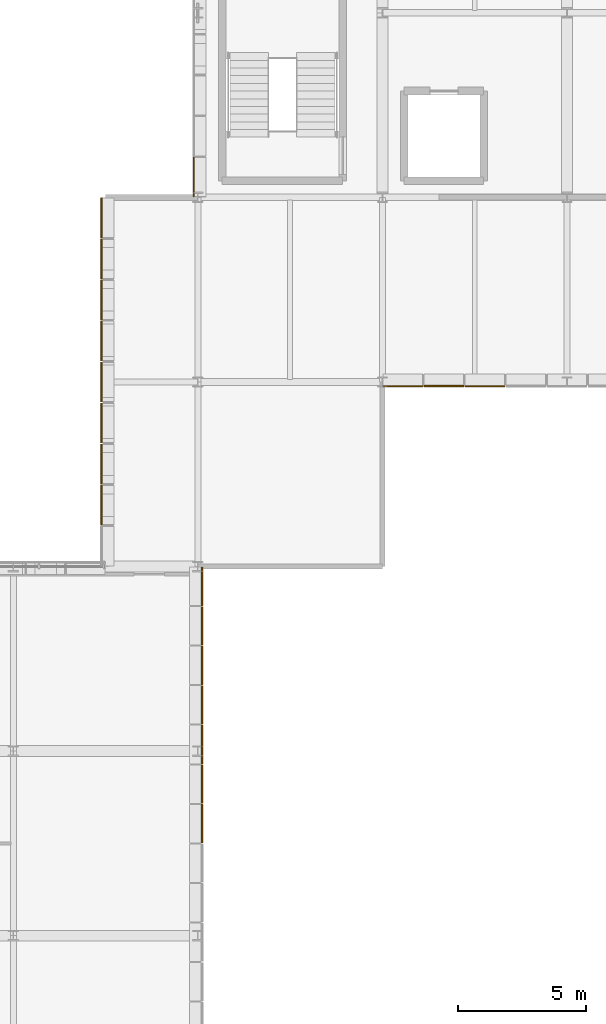
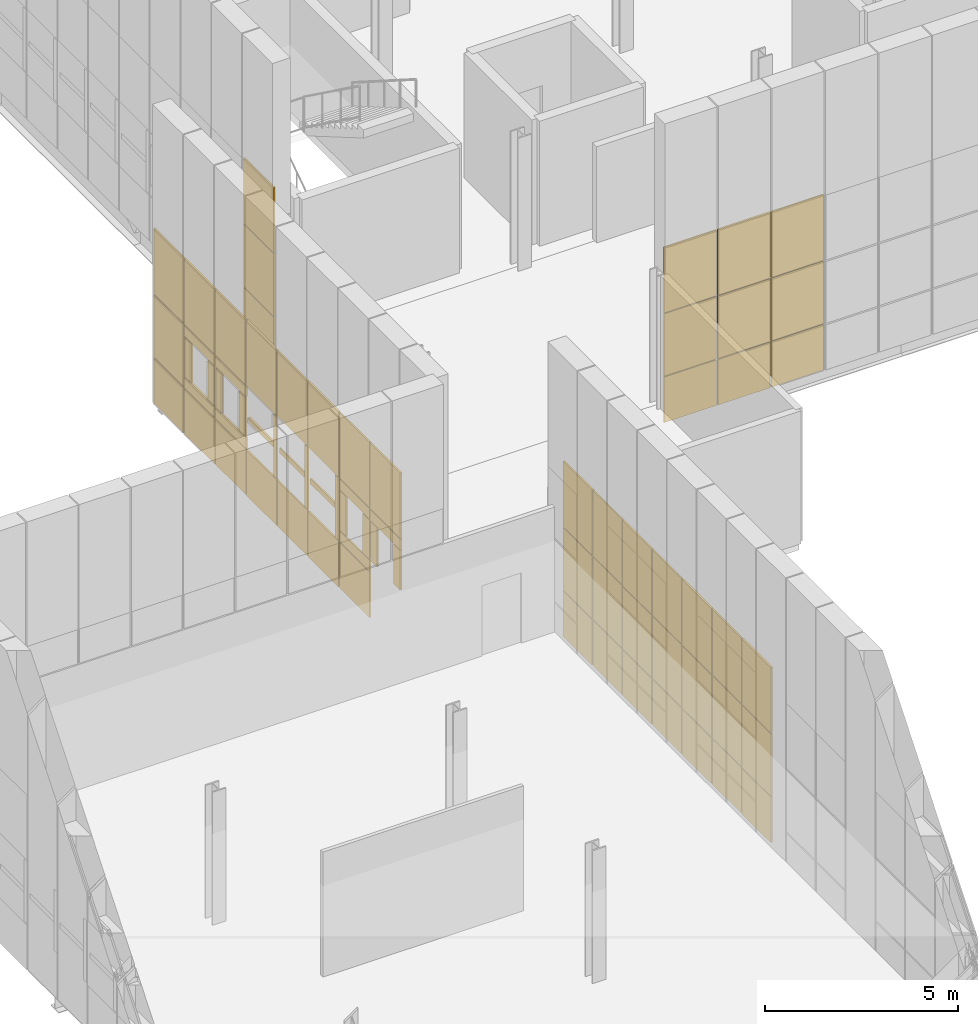
# One storey, part 129 of 144: 70 coverings.
"""IFC4 building model written with IfcOpenShell, lengths in metres."""

from ifc_helpers import new_model, si_unit, direction, frame, origin, origin_2d, place, context, subcontext, project, spatial, rectangle, extrude, material, layer, layer_set, type_object, element, save


model = new_model("IFC4")

# Units and contexts
model_context = context("Model", 3, precision=1e-05, world=origin(), true_north=direction((0.0, 1.0)))
body_context = subcontext(model_context, "Body", "Model", "MODEL_VIEW")
ifc_project = project(units=[si_unit("LENGTHUNIT", "METRE"), si_unit("AREAUNIT", "SQUARE_METRE"), si_unit("VOLUMEUNIT", "CUBIC_METRE"), si_unit("PLANEANGLEUNIT", "RADIAN"), si_unit("MASSUNIT", "GRAM", prefix="KILO")], contexts=[model_context])

# Site, building, storey
site_placement = place(None, origin())
site = spatial("IfcSite", under=ifc_project, at=site_placement, CompositionType="ELEMENT")
building_placement = place(site_placement, origin())
building = spatial("IfcBuilding", under=site, at=building_placement, Name="Yarey Park Central Fire Station", CompositionType="ELEMENT")
storey_placement = place(building_placement, frame((0.0, 0.0, 10.199951171875)))
storey = spatial("IfcBuildingStorey", under=building, at=storey_placement, Name="L03", CompositionType="ELEMENT", Elevation=10.199951171875)

# Coverings
ifc_material = material(Name="Perforated Powder-Coated Aluminium Cladding", Category="aluminium")
ifc_layer_1 = layer(ifc_material, 0.0419921875)
ifc_layer_set_1 = layer_set([ifc_layer_1], Name="Perforated Powder-Coated Aluminium Cladding")
covering_type_1 = type_object("IfcCoveringType", Name="ENV_COV_PERF_1", PredefinedType="CLADDING", material=ifc_layer_set_1)
covering_1_placement = place(storey_placement, frame((25.0400390625, 47.199951171875, -0.5048828125), z_axis=(0.0, 0.0, 1.0), x_axis=(0.0, 1.0, 0.0)))
element("IfcCovering", 1, at=covering_1_placement, inside=storey, type_object=covering_type_1, Name="PERF_L03_0542", PredefinedType="CLADDING", context=body_context, shape_type="SweptSolid", body=[
    extrude(rectangle(XDim=1.56005859375, YDim=0.0419921875, at=origin_2d()), origin(), (0.0, 0.0, 1.0), 1.43994140625),
])
for number, where, z_axis, x_axis, name in (
    (2, (25.0400390625, 47.199951171875, 0.9599609375), (0.0, 0.0, 1.0), (0.0, 1.0, 0.0), "PERF_L03_0543"),
    (3, (25.0400390625, 47.199951171875, 2.60009765625), (0.0, 0.0, 1.0), (0.0, 1.0, 0.0), "PERF_L03_0544"),
):
    element("IfcCovering", number, at=place(storey_placement, frame(where, z_axis=z_axis, x_axis=x_axis)), inside=storey, type_object=covering_type_1, Name=name, PredefinedType="CLADDING", context=body_context, shape_type="SweptSolid", body=[
        extrude(rectangle(XDim=1.56005859375, YDim=0.0419921875, at=origin_2d()), origin(), (0.0, 0.0, 1.0), 0.340087890625),
    ])
for number, where, z_axis, x_axis, name in (
    (4, (25.0400390625, 46.60009765625, 1.324951171875), (0.0, 0.0, 1.0), (0.0, 1.0, 0.0), "PERF_L03_0545"),
    (5, (25.0400390625, 47.800048828125, 1.324951171875), (0.0, 0.0, 1.0), (0.0, 1.0, 0.0), "PERF_L03_0546"),
):
    element("IfcCovering", number, at=place(storey_placement, frame(where, z_axis=z_axis, x_axis=x_axis)), inside=storey, type_object=covering_type_1, Name=name, PredefinedType="CLADDING", context=body_context, shape_type="SweptSolid", body=[
        extrude(rectangle(XDim=0.340087890625, YDim=0.0419921875, at=origin_2d()), origin(), (0.0, 0.0, 1.0), 1.25),
    ])
covering_2_placement = place(storey_placement, frame((25.0400390625, 47.199951171875, 2.96484375), z_axis=(0.0, 0.0, 1.0), x_axis=(0.0, 1.0, 0.0)))
element("IfcCovering", 6, at=covering_2_placement, inside=storey, type_object=covering_type_1, Name="PERF_L03_0547", PredefinedType="CLADDING", context=body_context, shape_type="SweptSolid", body=[
    extrude(rectangle(XDim=1.56005859375, YDim=0.0419921875, at=origin_2d()), origin(), (0.0, 0.0, 1.0), 2.070068359375),
])
covering_3_placement = place(storey_placement, frame((25.0400390625, 50.39990234375, -0.5048828125), z_axis=(0.0, 0.0, 1.0), x_axis=(0.0, 1.0, 0.0)))
element("IfcCovering", 7, at=covering_3_placement, inside=storey, type_object=covering_type_1, Name="PERF_L03_0560", PredefinedType="CLADDING", context=body_context, shape_type="SweptSolid", body=[
    extrude(rectangle(XDim=1.56005859375, YDim=0.0419921875, at=origin_2d()), origin(), (0.0, 0.0, 1.0), 1.43994140625),
])
covering_4_placement = place(storey_placement, frame((25.0400390625, 49.7099609375, 0.96484375), z_axis=(0.0, 0.0, 1.0), x_axis=(0.0, 1.0, 0.0)))
element("IfcCovering", 8, at=covering_4_placement, inside=storey, type_object=covering_type_1, Name="PERF_L03_0561", PredefinedType="CLADDING", context=body_context, shape_type="SweptSolid", body=[
    extrude(rectangle(XDim=0.159912109375, YDim=0.0419921875, at=origin_2d()), origin(), (0.0, 0.0, 1.0), 1.969970703125),
])
covering_5_placement = place(storey_placement, frame((25.0400390625, 50.39990234375, 1.8701171875), z_axis=(0.0, 0.0, 1.0), x_axis=(0.0, 1.0, 0.0)))
element("IfcCovering", 9, at=covering_5_placement, inside=storey, type_object=covering_type_1, Name="PERF_L03_0562", PredefinedType="CLADDING", context=body_context, shape_type="SweptSolid", body=[
    extrude(rectangle(XDim=1.360107421875, YDim=0.0419921875, at=origin_2d()), origin(), (0.0, 0.0, 1.0), 0.159912109375),
])
covering_6_placement = place(storey_placement, frame((25.0400390625, 50.39990234375, 2.96484375), z_axis=(0.0, 0.0, 1.0), x_axis=(0.0, 1.0, 0.0)))
element("IfcCovering", 10, at=covering_6_placement, inside=storey, type_object=covering_type_1, Name="PERF_L03_0563", PredefinedType="CLADDING", context=body_context, shape_type="SweptSolid", body=[
    extrude(rectangle(XDim=1.56005859375, YDim=0.0419921875, at=origin_2d()), origin(), (0.0, 0.0, 1.0), 2.070068359375),
])
covering_7_placement = place(storey_placement, frame((25.0400390625, 53.60009765625, -0.5048828125), z_axis=(0.0, 0.0, 1.0), x_axis=(0.0, 1.0, 0.0)))
element("IfcCovering", 11, at=covering_7_placement, inside=storey, type_object=covering_type_1, Name="PERF_L03_0574", PredefinedType="CLADDING", context=body_context, shape_type="SweptSolid", body=[
    extrude(rectangle(XDim=1.56005859375, YDim=0.0419921875, at=origin_2d()), origin(), (0.0, 0.0, 1.0), 1.43994140625),
])
for number, where, z_axis, x_axis, name in (
    (12, (25.0400390625, 53.60009765625, 0.9599609375), (0.0, 0.0, 1.0), (0.0, 1.0, 0.0), "PERF_L03_0575"),
    (13, (25.0400390625, 53.60009765625, 2.60009765625), (0.0, 0.0, 1.0), (0.0, 1.0, 0.0), "PERF_L03_0576"),
):
    element("IfcCovering", number, at=place(storey_placement, frame(where, z_axis=z_axis, x_axis=x_axis)), inside=storey, type_object=covering_type_1, Name=name, PredefinedType="CLADDING", context=body_context, shape_type="SweptSolid", body=[
        extrude(rectangle(XDim=1.56005859375, YDim=0.0419921875, at=origin_2d()), origin(), (0.0, 0.0, 1.0), 0.340087890625),
    ])
for number, where, z_axis, x_axis, name in (
    (14, (25.0400390625, 53.0, 1.324951171875), (0.0, 0.0, 1.0), (0.0, 1.0, 0.0), "PERF_L03_0577"),
    (15, (25.0400390625, 54.199951171875, 1.324951171875), (0.0, 0.0, 1.0), (0.0, 1.0, 0.0), "PERF_L03_0578"),
):
    element("IfcCovering", number, at=place(storey_placement, frame(where, z_axis=z_axis, x_axis=x_axis)), inside=storey, type_object=covering_type_1, Name=name, PredefinedType="CLADDING", context=body_context, shape_type="SweptSolid", body=[
        extrude(rectangle(XDim=0.340087890625, YDim=0.0419921875, at=origin_2d()), origin(), (0.0, 0.0, 1.0), 1.25),
    ])
covering_8_placement = place(storey_placement, frame((25.0400390625, 53.60009765625, 2.96484375), z_axis=(0.0, 0.0, 1.0), x_axis=(0.0, 1.0, 0.0)))
element("IfcCovering", 16, at=covering_8_placement, inside=storey, type_object=covering_type_1, Name="PERF_L03_0579", PredefinedType="CLADDING", context=body_context, shape_type="SweptSolid", body=[
    extrude(rectangle(XDim=1.56005859375, YDim=0.0419921875, at=origin_2d()), origin(), (0.0, 0.0, 1.0), 2.070068359375),
])
covering_9_placement = place(storey_placement, frame((25.0400390625, 56.800048828125, -0.5048828125), z_axis=(0.0, 0.0, 1.0), x_axis=(0.0, 1.0, 0.0)))
element("IfcCovering", 17, at=covering_9_placement, inside=storey, type_object=covering_type_1, Name="PERF_L03_0596", PredefinedType="CLADDING", context=body_context, shape_type="SweptSolid", body=[
    extrude(rectangle(XDim=1.56005859375, YDim=0.0419921875, at=origin_2d()), origin(), (0.0, 0.0, 1.0), 1.43994140625),
])
covering_10_placement = place(storey_placement, frame((25.0400390625, 56.800048828125, 0.96484375), z_axis=(0.0, 0.0, 1.0), x_axis=(0.0, 1.0, 0.0)))
element("IfcCovering", 18, at=covering_10_placement, inside=storey, type_object=covering_type_1, Name="PERF_L03_0597", PredefinedType="CLADDING", context=body_context, shape_type="SweptSolid", body=[
    extrude(rectangle(XDim=1.56005859375, YDim=0.0419921875, at=origin_2d()), origin(), (0.0, 0.0, 1.0), 1.969970703125),
])
covering_11_placement = place(storey_placement, frame((25.0400390625, 56.800048828125, 2.96484375), z_axis=(0.0, 0.0, 1.0), x_axis=(0.0, 1.0, 0.0)))
element("IfcCovering", 19, at=covering_11_placement, inside=storey, type_object=covering_type_1, Name="PERF_L03_0598", PredefinedType="CLADDING", context=body_context, shape_type="SweptSolid", body=[
    extrude(rectangle(XDim=1.56005859375, YDim=0.0419921875, at=origin_2d()), origin(), (0.0, 0.0, 1.0), 2.070068359375),
])
covering_12_placement = place(storey_placement, frame((28.639892578125, 58.396240234375, -0.5048828125), z_axis=(0.0, 0.0, 1.0), x_axis=(0.0, 1.0, 0.0)))
element("IfcCovering", 20, at=covering_12_placement, inside=storey, type_object=covering_type_1, Name="PERF_L03_0601", PredefinedType="CLADDING", context=body_context, shape_type="SweptSolid", body=[
    extrude(rectangle(XDim=1.55224609375, YDim=0.0419921875, at=origin_2d()), origin(), (0.0, 0.0, 1.0), 1.43994140625),
])
covering_13_placement = place(storey_placement, frame((28.639892578125, 58.396240234375, 0.96484375), z_axis=(0.0, 0.0, 1.0), x_axis=(0.0, 1.0, 0.0)))
element("IfcCovering", 21, at=covering_13_placement, inside=storey, type_object=covering_type_1, Name="PERF_L03_0602", PredefinedType="CLADDING", context=body_context, shape_type="SweptSolid", body=[
    extrude(rectangle(XDim=1.55224609375, YDim=0.0419921875, at=origin_2d()), origin(), (0.0, 0.0, 1.0), 1.969970703125),
])
covering_14_placement = place(storey_placement, frame((28.639892578125, 58.396240234375, 2.96484375), z_axis=(0.0, 0.0, 1.0), x_axis=(0.0, 1.0, 0.0)))
element("IfcCovering", 22, at=covering_14_placement, inside=storey, type_object=covering_type_1, Name="PERF_L03_0603", PredefinedType="CLADDING", context=body_context, shape_type="SweptSolid", body=[
    extrude(rectangle(XDim=1.55224609375, YDim=0.0419921875, at=origin_2d()), origin(), (0.0, 0.0, 1.0), 2.070068359375),
])
covering_15_placement = place(storey_placement, frame((28.9599609375, 34.71435546875, -0.5048828125), z_axis=(0.0, 0.0, 1.0), x_axis=(0.0, 1.0, 0.0)))
element("IfcCovering", 23, at=covering_15_placement, inside=storey, type_object=covering_type_1, Name="PERF_L03_0957", PredefinedType="CLADDING", context=body_context, shape_type="SweptSolid", body=[
    extrude(rectangle(XDim=1.5029296875, YDim=0.0419921875, at=origin_2d()), origin(), (0.0, 0.0, 1.0), 1.43994140625),
])
covering_16_placement = place(storey_placement, frame((28.9599609375, 34.71435546875, 0.96484375), z_axis=(0.0, 0.0, 1.0), x_axis=(0.0, 1.0, 0.0)))
element("IfcCovering", 24, at=covering_16_placement, inside=storey, type_object=covering_type_1, Name="PERF_L03_0958", PredefinedType="CLADDING", context=body_context, shape_type="SweptSolid", body=[
    extrude(rectangle(XDim=1.5029296875, YDim=0.0419921875, at=origin_2d()), origin(), (0.0, 0.0, 1.0), 1.969970703125),
])
covering_17_placement = place(storey_placement, frame((28.9599609375, 34.71435546875, 2.96484375), z_axis=(0.0, 0.0, 1.0), x_axis=(0.0, 1.0, 0.0)))
element("IfcCovering", 25, at=covering_17_placement, inside=storey, type_object=covering_type_1, Name="PERF_L03_0959", PredefinedType="CLADDING", context=body_context, shape_type="SweptSolid", body=[
    extrude(rectangle(XDim=1.5029296875, YDim=0.0419921875, at=origin_2d()), origin(), (0.0, 0.0, 1.0), 2.070068359375),
])
covering_18_placement = place(storey_placement, frame((28.9599609375, 37.800048828125, -0.5048828125), z_axis=(0.0, 0.0, 1.0), x_axis=(0.0, 1.0, 0.0)))
element("IfcCovering", 26, at=covering_18_placement, inside=storey, type_object=covering_type_1, Name="PERF_L03_0967", PredefinedType="CLADDING", context=body_context, shape_type="SweptSolid", body=[
    extrude(rectangle(XDim=1.5029296875, YDim=0.0419921875, at=origin_2d()), origin(), (0.0, 0.0, 1.0), 1.43994140625),
])
covering_19_placement = place(storey_placement, frame((28.9599609375, 37.800048828125, 0.96484375), z_axis=(0.0, 0.0, 1.0), x_axis=(0.0, 1.0, 0.0)))
element("IfcCovering", 27, at=covering_19_placement, inside=storey, type_object=covering_type_1, Name="PERF_L03_0968", PredefinedType="CLADDING", context=body_context, shape_type="SweptSolid", body=[
    extrude(rectangle(XDim=1.5029296875, YDim=0.0419921875, at=origin_2d()), origin(), (0.0, 0.0, 1.0), 1.969970703125),
])
covering_20_placement = place(storey_placement, frame((28.9599609375, 37.800048828125, 2.96484375), z_axis=(0.0, 0.0, 1.0), x_axis=(0.0, 1.0, 0.0)))
element("IfcCovering", 28, at=covering_20_placement, inside=storey, type_object=covering_type_1, Name="PERF_L03_0969", PredefinedType="CLADDING", context=body_context, shape_type="SweptSolid", body=[
    extrude(rectangle(XDim=1.5029296875, YDim=0.0419921875, at=origin_2d()), origin(), (0.0, 0.0, 1.0), 2.070068359375),
])
covering_21_placement = place(storey_placement, frame((28.9599609375, 40.8857421875, -0.5048828125), z_axis=(0.0, 0.0, 1.0), x_axis=(0.0, 1.0, 0.0)))
element("IfcCovering", 29, at=covering_21_placement, inside=storey, type_object=covering_type_1, Name="PERF_L03_0977", PredefinedType="CLADDING", context=body_context, shape_type="SweptSolid", body=[
    extrude(rectangle(XDim=1.5029296875, YDim=0.0419921875, at=origin_2d()), origin(), (0.0, 0.0, 1.0), 1.43994140625),
])
covering_22_placement = place(storey_placement, frame((28.9599609375, 40.8857421875, 0.96484375), z_axis=(0.0, 0.0, 1.0), x_axis=(0.0, 1.0, 0.0)))
element("IfcCovering", 30, at=covering_22_placement, inside=storey, type_object=covering_type_1, Name="PERF_L03_0978", PredefinedType="CLADDING", context=body_context, shape_type="SweptSolid", body=[
    extrude(rectangle(XDim=1.5029296875, YDim=0.0419921875, at=origin_2d()), origin(), (0.0, 0.0, 1.0), 1.969970703125),
])
covering_23_placement = place(storey_placement, frame((28.9599609375, 40.8857421875, 2.96484375), z_axis=(0.0, 0.0, 1.0), x_axis=(0.0, 1.0, 0.0)))
element("IfcCovering", 31, at=covering_23_placement, inside=storey, type_object=covering_type_1, Name="PERF_L03_0979", PredefinedType="CLADDING", context=body_context, shape_type="SweptSolid", body=[
    extrude(rectangle(XDim=1.5029296875, YDim=0.0419921875, at=origin_2d()), origin(), (0.0, 0.0, 1.0), 2.070068359375),
])
covering_24_placement = place(storey_placement, frame((36.800048828125, 50.239990234375, -0.5048828125), z_axis=(0.0, 0.0, 1.0), x_axis=(1.0, 0.0, 0.0)))
element("IfcCovering", 32, at=covering_24_placement, inside=storey, type_object=covering_type_1, Name="PERF_L03_1077", PredefinedType="CLADDING", context=body_context, shape_type="SweptSolid", body=[
    extrude(rectangle(XDim=1.56005859375, YDim=0.0419921875, at=origin_2d()), origin(), (0.0, 0.0, 1.0), 1.43994140625),
])
covering_25_placement = place(storey_placement, frame((36.800048828125, 50.239990234375, 0.96484375), z_axis=(0.0, 0.0, 1.0), x_axis=(1.0, 0.0, 0.0)))
element("IfcCovering", 33, at=covering_25_placement, inside=storey, type_object=covering_type_1, Name="PERF_L03_1078", PredefinedType="CLADDING", context=body_context, shape_type="SweptSolid", body=[
    extrude(rectangle(XDim=1.56005859375, YDim=0.0419921875, at=origin_2d()), origin(), (0.0, 0.0, 1.0), 1.969970703125),
])
covering_26_placement = place(storey_placement, frame((36.800048828125, 50.239990234375, 2.96484375), z_axis=(0.0, 0.0, 1.0), x_axis=(1.0, 0.0, 0.0)))
element("IfcCovering", 34, at=covering_26_placement, inside=storey, type_object=covering_type_1, Name="PERF_L03_1079", PredefinedType="CLADDING", context=body_context, shape_type="SweptSolid", body=[
    extrude(rectangle(XDim=1.56005859375, YDim=0.0419921875, at=origin_2d()), origin(), (0.0, 0.0, 1.0), 2.070068359375),
])
covering_27_placement = place(storey_placement, frame((40.0, 50.239990234375, -0.5048828125), z_axis=(0.0, 0.0, 1.0), x_axis=(1.0, 0.0, 0.0)))
element("IfcCovering", 35, at=covering_27_placement, inside=storey, type_object=covering_type_1, Name="PERF_L03_1087", PredefinedType="CLADDING", context=body_context, shape_type="SweptSolid", body=[
    extrude(rectangle(XDim=1.56005859375, YDim=0.0419921875, at=origin_2d()), origin(), (0.0, 0.0, 1.0), 1.43994140625),
])
covering_28_placement = place(storey_placement, frame((40.0, 50.239990234375, 0.96484375), z_axis=(0.0, 0.0, 1.0), x_axis=(1.0, 0.0, 0.0)))
element("IfcCovering", 36, at=covering_28_placement, inside=storey, type_object=covering_type_1, Name="PERF_L03_1088", PredefinedType="CLADDING", context=body_context, shape_type="SweptSolid", body=[
    extrude(rectangle(XDim=1.56005859375, YDim=0.0419921875, at=origin_2d()), origin(), (0.0, 0.0, 1.0), 1.969970703125),
])
covering_29_placement = place(storey_placement, frame((40.0, 50.239990234375, 2.96484375), z_axis=(0.0, 0.0, 1.0), x_axis=(1.0, 0.0, 0.0)))
element("IfcCovering", 37, at=covering_29_placement, inside=storey, type_object=covering_type_1, Name="PERF_L03_1089", PredefinedType="CLADDING", context=body_context, shape_type="SweptSolid", body=[
    extrude(rectangle(XDim=1.56005859375, YDim=0.0419921875, at=origin_2d()), origin(), (0.0, 0.0, 1.0), 2.070068359375),
])
ifc_layer_2 = layer(ifc_material, 0.053955078125)
ifc_layer_set_2 = layer_set([ifc_layer_2], Name="Perforated Powder-Coated Aluminium Cladding")
covering_type_2 = type_object("IfcCoveringType", Name="ENV_COV_PERF_2", PredefinedType="CLADDING", material=ifc_layer_set_2)
covering_30_placement = place(storey_placement, frame((25.0400390625, 45.60009765625, 2.60009765625), z_axis=(0.0, 0.0, 1.0), x_axis=(0.0, 1.0, 0.0)))
element("IfcCovering", 38, at=covering_30_placement, inside=storey, type_object=covering_type_2, Name="PERF_L03_0533", PredefinedType="CLADDING", context=body_context, shape_type="SweptSolid", body=[
    extrude(rectangle(XDim=1.56005859375, YDim=0.053955078125, at=origin_2d()), origin(), (0.0, 0.0, 1.0), 0.340087890625),
])
for number, where, z_axis, x_axis, name in (
    (39, (25.0400390625, 45.0, 1.324951171875), (0.0, 0.0, 1.0), (0.0, 1.0, 0.0), "PERF_L03_0534"),
    (40, (25.0400390625, 46.199951171875, 1.324951171875), (0.0, 0.0, 1.0), (0.0, 1.0, 0.0), "PERF_L03_0535"),
):
    element("IfcCovering", number, at=place(storey_placement, frame(where, z_axis=z_axis, x_axis=x_axis)), inside=storey, type_object=covering_type_2, Name=name, PredefinedType="CLADDING", context=body_context, shape_type="SweptSolid", body=[
        extrude(rectangle(XDim=0.340087890625, YDim=0.053955078125, at=origin_2d()), origin(), (0.0, 0.0, 1.0), 1.25),
    ])
covering_31_placement = place(storey_placement, frame((25.0400390625, 45.60009765625, 2.96484375), z_axis=(0.0, 0.0, 1.0), x_axis=(0.0, 1.0, 0.0)))
element("IfcCovering", 41, at=covering_31_placement, inside=storey, type_object=covering_type_2, Name="PERF_L03_0536", PredefinedType="CLADDING", context=body_context, shape_type="SweptSolid", body=[
    extrude(rectangle(XDim=1.56005859375, YDim=0.053955078125, at=origin_2d()), origin(), (0.0, 0.0, 1.0), 2.070068359375),
])
covering_32_placement = place(storey_placement, frame((25.0400390625, 48.800048828125, -0.5048828125), z_axis=(0.0, 0.0, 1.0), x_axis=(0.0, 1.0, 0.0)))
element("IfcCovering", 42, at=covering_32_placement, inside=storey, type_object=covering_type_2, Name="PERF_L03_0553", PredefinedType="CLADDING", context=body_context, shape_type="SweptSolid", body=[
    extrude(rectangle(XDim=1.56005859375, YDim=0.053955078125, at=origin_2d()), origin(), (0.0, 0.0, 1.0), 1.43994140625),
])
covering_33_placement = place(storey_placement, frame((25.0400390625, 48.110107421875, 0.96484375), z_axis=(0.0, 0.0, 1.0), x_axis=(0.0, 1.0, 0.0)))
element("IfcCovering", 43, at=covering_33_placement, inside=storey, type_object=covering_type_2, Name="PERF_L03_0554", PredefinedType="CLADDING", context=body_context, shape_type="SweptSolid", body=[
    extrude(rectangle(XDim=0.159912109375, YDim=0.053955078125, at=origin_2d()), origin(), (0.0, 0.0, 1.0), 1.969970703125),
])
covering_34_placement = place(storey_placement, frame((25.0400390625, 48.800048828125, 1.8701171875), z_axis=(0.0, 0.0, 1.0), x_axis=(0.0, 1.0, 0.0)))
element("IfcCovering", 44, at=covering_34_placement, inside=storey, type_object=covering_type_2, Name="PERF_L03_0555", PredefinedType="CLADDING", context=body_context, shape_type="SweptSolid", body=[
    extrude(rectangle(XDim=1.360107421875, YDim=0.053955078125, at=origin_2d()), origin(), (0.0, 0.0, 1.0), 0.159912109375),
])
covering_35_placement = place(storey_placement, frame((25.0400390625, 48.800048828125, 2.96484375), z_axis=(0.0, 0.0, 1.0), x_axis=(0.0, 1.0, 0.0)))
element("IfcCovering", 45, at=covering_35_placement, inside=storey, type_object=covering_type_2, Name="PERF_L03_0556", PredefinedType="CLADDING", context=body_context, shape_type="SweptSolid", body=[
    extrude(rectangle(XDim=1.56005859375, YDim=0.053955078125, at=origin_2d()), origin(), (0.0, 0.0, 1.0), 2.070068359375),
])
covering_36_placement = place(storey_placement, frame((25.0400390625, 52.0, -0.5048828125), z_axis=(0.0, 0.0, 1.0), x_axis=(0.0, 1.0, 0.0)))
element("IfcCovering", 46, at=covering_36_placement, inside=storey, type_object=covering_type_2, Name="PERF_L03_0567", PredefinedType="CLADDING", context=body_context, shape_type="SweptSolid", body=[
    extrude(rectangle(XDim=1.56005859375, YDim=0.053955078125, at=origin_2d()), origin(), (0.0, 0.0, 1.0), 1.43994140625),
])
covering_37_placement = place(storey_placement, frame((25.0400390625, 51.31005859375, 0.96484375), z_axis=(0.0, 0.0, 1.0), x_axis=(0.0, 1.0, 0.0)))
element("IfcCovering", 47, at=covering_37_placement, inside=storey, type_object=covering_type_2, Name="PERF_L03_0568", PredefinedType="CLADDING", context=body_context, shape_type="SweptSolid", body=[
    extrude(rectangle(XDim=0.159912109375, YDim=0.053955078125, at=origin_2d()), origin(), (0.0, 0.0, 1.0), 1.969970703125),
])
covering_38_placement = place(storey_placement, frame((25.0400390625, 52.0, 1.8701171875), z_axis=(0.0, 0.0, 1.0), x_axis=(0.0, 1.0, 0.0)))
element("IfcCovering", 48, at=covering_38_placement, inside=storey, type_object=covering_type_2, Name="PERF_L03_0569", PredefinedType="CLADDING", context=body_context, shape_type="SweptSolid", body=[
    extrude(rectangle(XDim=1.360107421875, YDim=0.053955078125, at=origin_2d()), origin(), (0.0, 0.0, 1.0), 0.159912109375),
])
covering_39_placement = place(storey_placement, frame((25.0400390625, 52.0, 2.96484375), z_axis=(0.0, 0.0, 1.0), x_axis=(0.0, 1.0, 0.0)))
element("IfcCovering", 49, at=covering_39_placement, inside=storey, type_object=covering_type_2, Name="PERF_L03_0570", PredefinedType="CLADDING", context=body_context, shape_type="SweptSolid", body=[
    extrude(rectangle(XDim=1.56005859375, YDim=0.053955078125, at=origin_2d()), origin(), (0.0, 0.0, 1.0), 2.070068359375),
])
covering_40_placement = place(storey_placement, frame((25.0400390625, 55.199951171875, -0.5048828125), z_axis=(0.0, 0.0, 1.0), x_axis=(0.0, 1.0, 0.0)))
element("IfcCovering", 50, at=covering_40_placement, inside=storey, type_object=covering_type_2, Name="PERF_L03_0585", PredefinedType="CLADDING", context=body_context, shape_type="SweptSolid", body=[
    extrude(rectangle(XDim=1.56005859375, YDim=0.053955078125, at=origin_2d()), origin(), (0.0, 0.0, 1.0), 1.43994140625),
])
for number, where, z_axis, x_axis, name in (
    (51, (25.0400390625, 55.199951171875, 0.9599609375), (0.0, 0.0, 1.0), (0.0, 1.0, 0.0), "PERF_L03_0586"),
    (52, (25.0400390625, 55.199951171875, 2.60009765625), (0.0, 0.0, 1.0), (0.0, 1.0, 0.0), "PERF_L03_0587"),
):
    element("IfcCovering", number, at=place(storey_placement, frame(where, z_axis=z_axis, x_axis=x_axis)), inside=storey, type_object=covering_type_2, Name=name, PredefinedType="CLADDING", context=body_context, shape_type="SweptSolid", body=[
        extrude(rectangle(XDim=1.56005859375, YDim=0.053955078125, at=origin_2d()), origin(), (0.0, 0.0, 1.0), 0.340087890625),
    ])
for number, where, z_axis, x_axis, name in (
    (53, (25.0400390625, 54.60009765625, 1.324951171875), (0.0, 0.0, 1.0), (0.0, 1.0, 0.0), "PERF_L03_0588"),
    (54, (25.0400390625, 55.800048828125, 1.324951171875), (0.0, 0.0, 1.0), (0.0, 1.0, 0.0), "PERF_L03_0589"),
):
    element("IfcCovering", number, at=place(storey_placement, frame(where, z_axis=z_axis, x_axis=x_axis)), inside=storey, type_object=covering_type_2, Name=name, PredefinedType="CLADDING", context=body_context, shape_type="SweptSolid", body=[
        extrude(rectangle(XDim=0.340087890625, YDim=0.053955078125, at=origin_2d()), origin(), (0.0, 0.0, 1.0), 1.25),
    ])
covering_41_placement = place(storey_placement, frame((25.0400390625, 55.199951171875, 2.96484375), z_axis=(0.0, 0.0, 1.0), x_axis=(0.0, 1.0, 0.0)))
element("IfcCovering", 55, at=covering_41_placement, inside=storey, type_object=covering_type_2, Name="PERF_L03_0590", PredefinedType="CLADDING", context=body_context, shape_type="SweptSolid", body=[
    extrude(rectangle(XDim=1.56005859375, YDim=0.053955078125, at=origin_2d()), origin(), (0.0, 0.0, 1.0), 2.070068359375),
])
covering_42_placement = place(storey_placement, frame((28.9599609375, 33.17138671875, -0.5048828125), z_axis=(0.0, 0.0, 1.0), x_axis=(0.0, 1.0, 0.0)))
element("IfcCovering", 56, at=covering_42_placement, inside=storey, type_object=covering_type_2, Name="PERF_L03_0952", PredefinedType="CLADDING", context=body_context, shape_type="SweptSolid", body=[
    extrude(rectangle(XDim=1.5029296875, YDim=0.053955078125, at=origin_2d()), origin(), (0.0, 0.0, 1.0), 1.43994140625),
])
covering_43_placement = place(storey_placement, frame((28.9599609375, 33.17138671875, 0.96484375), z_axis=(0.0, 0.0, 1.0), x_axis=(0.0, 1.0, 0.0)))
element("IfcCovering", 57, at=covering_43_placement, inside=storey, type_object=covering_type_2, Name="PERF_L03_0953", PredefinedType="CLADDING", context=body_context, shape_type="SweptSolid", body=[
    extrude(rectangle(XDim=1.5029296875, YDim=0.053955078125, at=origin_2d()), origin(), (0.0, 0.0, 1.0), 1.969970703125),
])
covering_44_placement = place(storey_placement, frame((28.9599609375, 33.17138671875, 2.96484375), z_axis=(0.0, 0.0, 1.0), x_axis=(0.0, 1.0, 0.0)))
element("IfcCovering", 58, at=covering_44_placement, inside=storey, type_object=covering_type_2, Name="PERF_L03_0954", PredefinedType="CLADDING", context=body_context, shape_type="SweptSolid", body=[
    extrude(rectangle(XDim=1.5029296875, YDim=0.053955078125, at=origin_2d()), origin(), (0.0, 0.0, 1.0), 2.070068359375),
])
covering_45_placement = place(storey_placement, frame((28.9599609375, 36.257080078125, -0.5048828125), z_axis=(0.0, 0.0, 1.0), x_axis=(0.0, 1.0, 0.0)))
element("IfcCovering", 59, at=covering_45_placement, inside=storey, type_object=covering_type_2, Name="PERF_L03_0962", PredefinedType="CLADDING", context=body_context, shape_type="SweptSolid", body=[
    extrude(rectangle(XDim=1.5029296875, YDim=0.053955078125, at=origin_2d()), origin(), (0.0, 0.0, 1.0), 1.43994140625),
])
covering_46_placement = place(storey_placement, frame((28.9599609375, 36.257080078125, 0.96484375), z_axis=(0.0, 0.0, 1.0), x_axis=(0.0, 1.0, 0.0)))
element("IfcCovering", 60, at=covering_46_placement, inside=storey, type_object=covering_type_2, Name="PERF_L03_0963", PredefinedType="CLADDING", context=body_context, shape_type="SweptSolid", body=[
    extrude(rectangle(XDim=1.5029296875, YDim=0.053955078125, at=origin_2d()), origin(), (0.0, 0.0, 1.0), 1.969970703125),
])
covering_47_placement = place(storey_placement, frame((28.9599609375, 36.257080078125, 2.96484375), z_axis=(0.0, 0.0, 1.0), x_axis=(0.0, 1.0, 0.0)))
element("IfcCovering", 61, at=covering_47_placement, inside=storey, type_object=covering_type_2, Name="PERF_L03_0964", PredefinedType="CLADDING", context=body_context, shape_type="SweptSolid", body=[
    extrude(rectangle(XDim=1.5029296875, YDim=0.053955078125, at=origin_2d()), origin(), (0.0, 0.0, 1.0), 2.070068359375),
])
covering_48_placement = place(storey_placement, frame((28.9599609375, 39.343017578125, -0.5048828125), z_axis=(0.0, 0.0, 1.0), x_axis=(0.0, 1.0, 0.0)))
element("IfcCovering", 62, at=covering_48_placement, inside=storey, type_object=covering_type_2, Name="PERF_L03_0972", PredefinedType="CLADDING", context=body_context, shape_type="SweptSolid", body=[
    extrude(rectangle(XDim=1.5029296875, YDim=0.053955078125, at=origin_2d()), origin(), (0.0, 0.0, 1.0), 1.43994140625),
])
covering_49_placement = place(storey_placement, frame((28.9599609375, 39.343017578125, 0.96484375), z_axis=(0.0, 0.0, 1.0), x_axis=(0.0, 1.0, 0.0)))
element("IfcCovering", 63, at=covering_49_placement, inside=storey, type_object=covering_type_2, Name="PERF_L03_0973", PredefinedType="CLADDING", context=body_context, shape_type="SweptSolid", body=[
    extrude(rectangle(XDim=1.5029296875, YDim=0.053955078125, at=origin_2d()), origin(), (0.0, 0.0, 1.0), 1.969970703125),
])
covering_50_placement = place(storey_placement, frame((28.9599609375, 39.343017578125, 2.96484375), z_axis=(0.0, 0.0, 1.0), x_axis=(0.0, 1.0, 0.0)))
element("IfcCovering", 64, at=covering_50_placement, inside=storey, type_object=covering_type_2, Name="PERF_L03_0974", PredefinedType="CLADDING", context=body_context, shape_type="SweptSolid", body=[
    extrude(rectangle(XDim=1.5029296875, YDim=0.053955078125, at=origin_2d()), origin(), (0.0, 0.0, 1.0), 2.070068359375),
])
covering_51_placement = place(storey_placement, frame((28.9599609375, 42.4287109375, -0.5048828125), z_axis=(0.0, 0.0, 1.0), x_axis=(0.0, 1.0, 0.0)))
element("IfcCovering", 65, at=covering_51_placement, inside=storey, type_object=covering_type_2, Name="PERF_L03_0982", PredefinedType="CLADDING", context=body_context, shape_type="SweptSolid", body=[
    extrude(rectangle(XDim=1.5029296875, YDim=0.053955078125, at=origin_2d()), origin(), (0.0, 0.0, 1.0), 1.43994140625),
])
covering_52_placement = place(storey_placement, frame((28.9599609375, 42.4287109375, 0.96484375), z_axis=(0.0, 0.0, 1.0), x_axis=(0.0, 1.0, 0.0)))
element("IfcCovering", 66, at=covering_52_placement, inside=storey, type_object=covering_type_2, Name="PERF_L03_0983", PredefinedType="CLADDING", context=body_context, shape_type="SweptSolid", body=[
    extrude(rectangle(XDim=1.5029296875, YDim=0.053955078125, at=origin_2d()), origin(), (0.0, 0.0, 1.0), 1.969970703125),
])
covering_53_placement = place(storey_placement, frame((28.9599609375, 42.4287109375, 2.96484375), z_axis=(0.0, 0.0, 1.0), x_axis=(0.0, 1.0, 0.0)))
element("IfcCovering", 67, at=covering_53_placement, inside=storey, type_object=covering_type_2, Name="PERF_L03_0984", PredefinedType="CLADDING", context=body_context, shape_type="SweptSolid", body=[
    extrude(rectangle(XDim=1.5029296875, YDim=0.053955078125, at=origin_2d()), origin(), (0.0, 0.0, 1.0), 2.070068359375),
])
covering_54_placement = place(storey_placement, frame((38.39990234375, 50.239990234375, -0.5048828125), z_axis=(0.0, 0.0, 1.0), x_axis=(1.0, 0.0, 0.0)))
element("IfcCovering", 68, at=covering_54_placement, inside=storey, type_object=covering_type_2, Name="PERF_L03_1082", PredefinedType="CLADDING", context=body_context, shape_type="SweptSolid", body=[
    extrude(rectangle(XDim=1.56005859375, YDim=0.053955078125, at=origin_2d()), origin(), (0.0, 0.0, 1.0), 1.43994140625),
])
covering_55_placement = place(storey_placement, frame((38.39990234375, 50.239990234375, 0.96484375), z_axis=(0.0, 0.0, 1.0), x_axis=(1.0, 0.0, 0.0)))
element("IfcCovering", 69, at=covering_55_placement, inside=storey, type_object=covering_type_2, Name="PERF_L03_1083", PredefinedType="CLADDING", context=body_context, shape_type="SweptSolid", body=[
    extrude(rectangle(XDim=1.56005859375, YDim=0.053955078125, at=origin_2d()), origin(), (0.0, 0.0, 1.0), 1.969970703125),
])
covering_56_placement = place(storey_placement, frame((38.39990234375, 50.239990234375, 2.96484375), z_axis=(0.0, 0.0, 1.0), x_axis=(1.0, 0.0, 0.0)))
element("IfcCovering", 70, at=covering_56_placement, inside=storey, type_object=covering_type_2, Name="PERF_L03_1084", PredefinedType="CLADDING", context=body_context, shape_type="SweptSolid", body=[
    extrude(rectangle(XDim=1.56005859375, YDim=0.053955078125, at=origin_2d()), origin(), (0.0, 0.0, 1.0), 2.070068359375),
])

save(model, "model.ifc")
